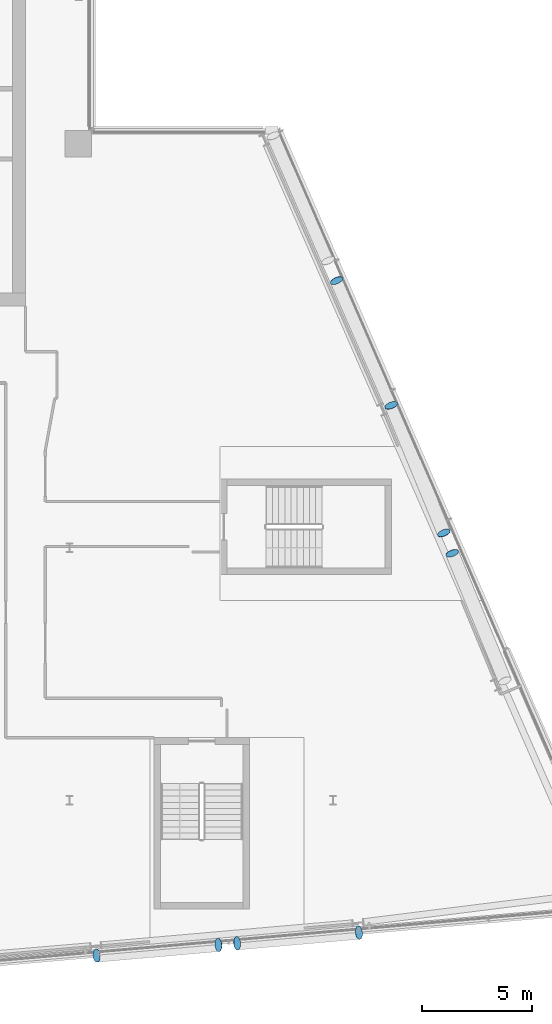
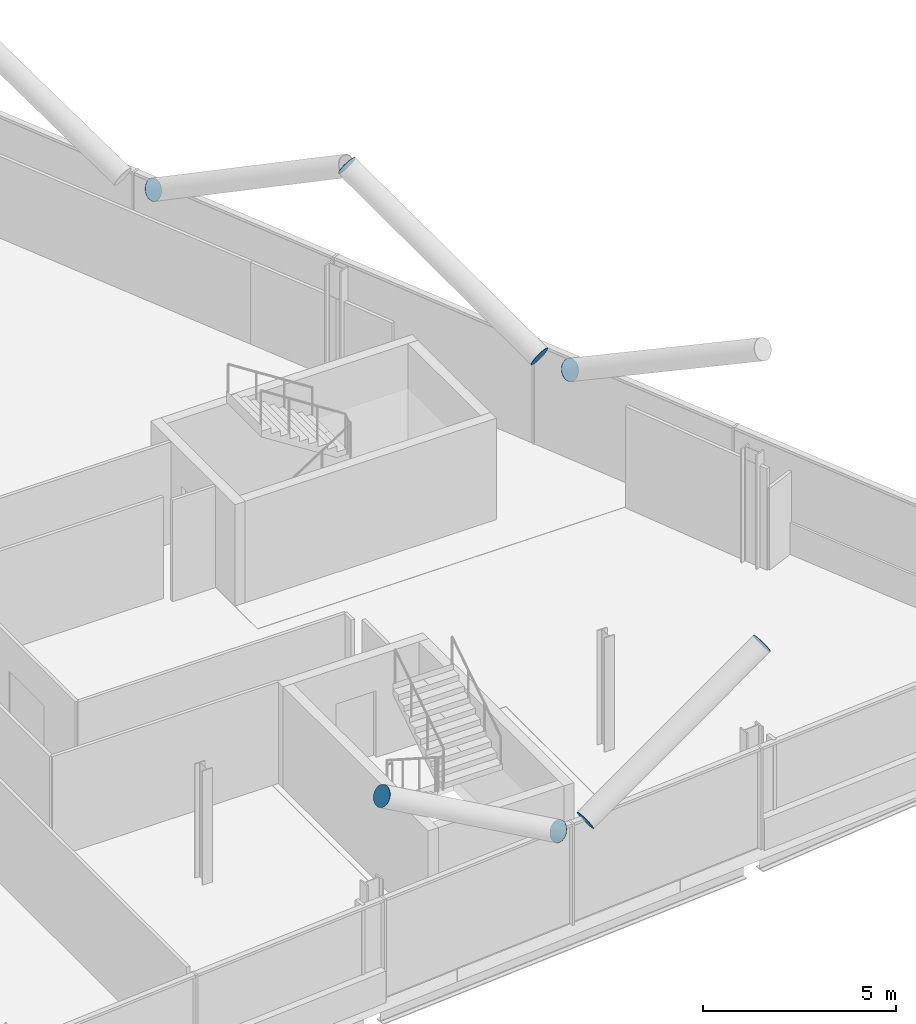
# One storey, part 21 of 26: 8 discrete accessories.
"""IFC4 building model written with IfcOpenShell, lengths in metres."""

from ifc_helpers import new_model, si_unit, direction, frame, origin, origin_2d, place, context, subcontext, project, spatial, circle, extrude, material, material_profile, profile_set, type_object, element, save


model = new_model("IFC4")

# Units and contexts
model_context = context("Model", 3, precision=1e-05, world=origin(), true_north=direction((0.0, 1.0)))
body_context = subcontext(model_context, "Body", "Model", "MODEL_VIEW")
ifc_project = project(units=[si_unit("LENGTHUNIT", "METRE"), si_unit("AREAUNIT", "SQUARE_METRE"), si_unit("VOLUMEUNIT", "CUBIC_METRE"), si_unit("PLANEANGLEUNIT", "RADIAN"), si_unit("MASSUNIT", "GRAM", prefix="KILO")], contexts=[model_context])

# Site, building, storey
site_placement = place(None, origin())
site = spatial("IfcSite", under=ifc_project, at=site_placement, CompositionType="ELEMENT")
building_placement = place(site_placement, origin())
building = spatial("IfcBuilding", under=site, at=building_placement, Name="Wharfspan Tower", CompositionType="ELEMENT")
storey_placement = place(building_placement, frame((0.0, 0.0, 235.899902)))
storey = spatial("IfcBuildingStorey", under=building, at=storey_placement, Name="L59", CompositionType="ELEMENT", Elevation=235.899902)

# Discrete accessories
ifc_material = material(Name="Steel S460NH", Category="steel")
ifc_material_profile = material_profile(ifc_material, circle(Radius=0.304932, at=origin_2d()))
ifc_profile_set = profile_set([ifc_material_profile], Name="Steel S460NH")
discrete_accessory_type = type_object("IfcDiscreteAccessoryType", Name="End plate CHS 610x25", PredefinedType="BRACKET", material=ifc_profile_set)
for number, where, z_axis, x_axis, name in (
    (1, (67.629883, 4.984863, 3.154297), (0.855186, 0.073302, 0.513112), (-0.085402, 0.996345, 1e-06), "End plate CHS 610x25"),
    (2, (73.175049, 5.469971, 6.5), (0.853405, 0.097532, 0.512043), (-0.113547, 0.993531, 1e-06), "End plate CHS 610x25"),
    (3, (66.787109, 4.911133, 3.154297), (-0.855186, -0.073302, 0.513112), (0.085402, -0.996345, 1e-06), "End plate CHS 610x25"),
    (4, (61.241943, 4.426025, 6.5), (-0.855186, -0.073302, 0.513112), (0.085402, -0.996345, 1e-06), "End plate CHS 610x25"),
    (5, (77.051025, 23.666992, 3.162842), (-0.345075, 0.81339, 0.468316), (-0.920586, -0.390551, -2e-06), "End plate CHS 610x25"),
):
    element("IfcDiscreteAccessory", number, at=place(storey_placement, frame(where, z_axis=z_axis, x_axis=x_axis)), inside=storey, type_object=discrete_accessory_type, Name=name, PredefinedType="BRACKET", context=body_context, shape_type="SweptSolid", body=[
        extrude(circle(Radius=0.304932, at=origin_2d()), origin(), (0.0, 0.0, 1.0), 0.01001),
    ])
discrete_accessory_placement = place(storey_placement, frame((74.652588, 29.476318, 6.5), z_axis=(-0.313003, 0.818624, 0.481543), x_axis=(-0.934053, -0.357137, -1e-06)))
element("IfcDiscreteAccessory", 6, at=discrete_accessory_placement, inside=storey, type_object=discrete_accessory_type, Name="End plate CHS 610x25", PredefinedType="BRACKET", context=body_context, shape_type="SweptSolid", body=[
    extrude(circle(Radius=0.304932, at=origin_2d()), origin(), (0.0, 0.0, 1.0), 0.010254),
])
for number, where, z_axis, x_axis, name in (
    (7, (77.428711, 22.752441, 3.162842), (0.316603, -0.828038, 0.462727), (0.934054, 0.357138, -1e-06), "End plate CHS 610x25"),
    (8, (72.163818, 35.168213, 3.162109), (0.366508, -0.806318, 0.464244), (0.910368, 0.413804, 1e-06), "End plate CHS 610x25"),
):
    element("IfcDiscreteAccessory", number, at=place(storey_placement, frame(where, z_axis=z_axis, x_axis=x_axis)), inside=storey, type_object=discrete_accessory_type, Name=name, PredefinedType="BRACKET", context=body_context, shape_type="SweptSolid", body=[
        extrude(circle(Radius=0.304932, at=origin_2d()), origin(), (0.0, 0.0, 1.0), 0.01001),
    ])

save(model, "model.ifc")
